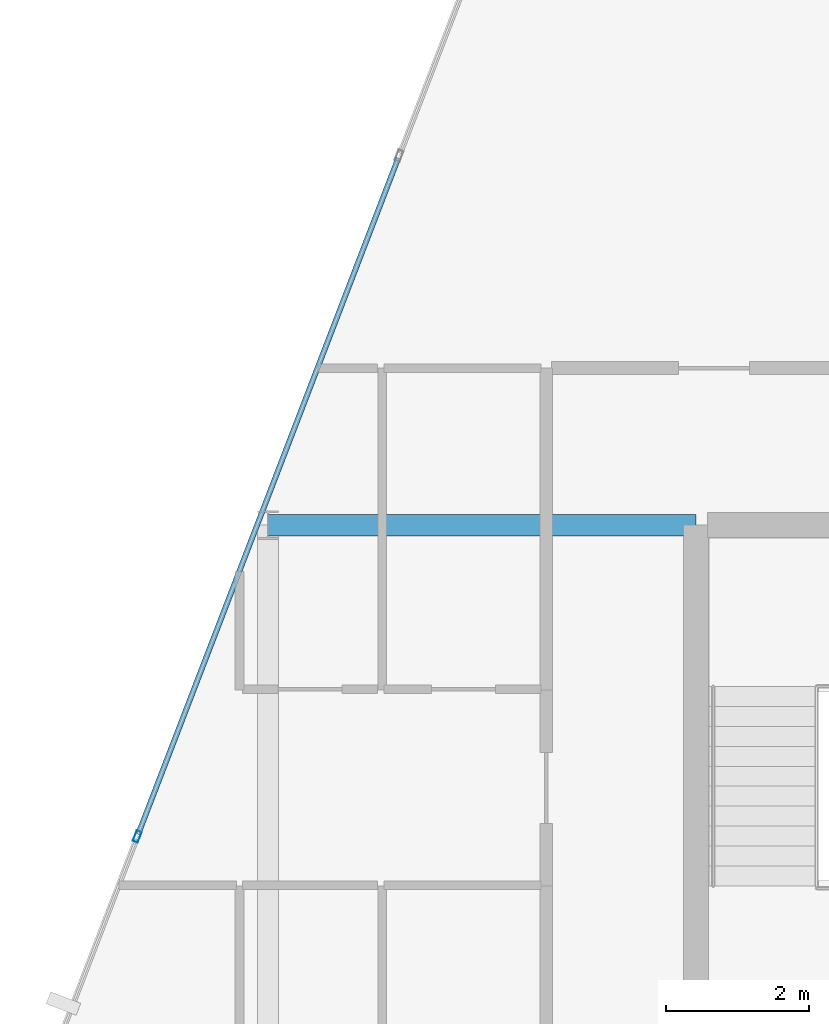
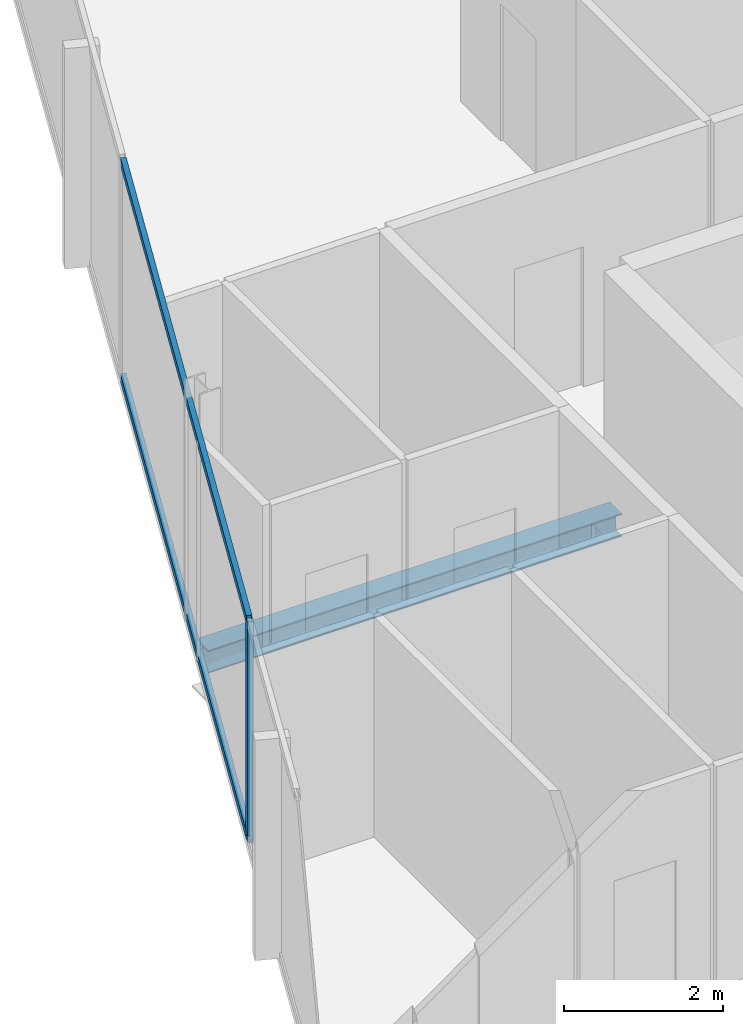
# One storey, part 10 of 27: 3 members, 1 beam, 1 element without a shape of its own.
"""IFC4 building model written with IfcOpenShell, lengths in metres."""

from ifc_helpers import new_model, si_unit, direction, frame, origin, origin_2d, place, context, subcontext, project, spatial, hollow_rectangle, i_section, extrude, material, layer, layer_set, material_profile, profile_set, type_object, element, aggregate, save


model = new_model("IFC4")

# Units and contexts
model_context = context("Model", 3, precision=1e-05, world=origin(), true_north=direction((0.0, 1.0)))
body_context = subcontext(model_context, "Body", "Model", "MODEL_VIEW")
ifc_project = project(units=[si_unit("LENGTHUNIT", "METRE"), si_unit("AREAUNIT", "SQUARE_METRE"), si_unit("VOLUMEUNIT", "CUBIC_METRE"), si_unit("PLANEANGLEUNIT", "RADIAN"), si_unit("MASSUNIT", "GRAM", prefix="KILO")], contexts=[model_context])

# Site, building, storey
site_placement = place(None, origin())
site = spatial("IfcSite", under=ifc_project, at=site_placement, CompositionType="ELEMENT")
building_placement = place(site_placement, origin())
building = spatial("IfcBuilding", under=site, at=building_placement, Name="Keshet Zoharim Tower", CompositionType="ELEMENT")
storey_placement = place(building_placement, frame((0.0, 0.0, 295.39990234375)))
storey = spatial("IfcBuildingStorey", under=building, at=storey_placement, Name="L74", CompositionType="ELEMENT", Elevation=295.39990234375)

# Beam
ifc_material_1 = material(Name="Steel S355", Category="steel")
ifc_material_profile_1 = material_profile(ifc_material_1, i_section(OverallWidth=0.300048828125, OverallDepth=0.35009765625, WebThickness=0.010009765625, FlangeThickness=0.017578125, FilletRadius=0.027099609375, at=origin_2d()), Name="HEA360")
ifc_profile_set_1 = profile_set([ifc_material_profile_1], Name="Steel S355")
beam_type = type_object("IfcBeamType", Name="BM-PRI-HA360", PredefinedType="BEAM", material=ifc_profile_set_1)
beam_placement = place(storey_placement, frame((9.0, 37.89990234375, -0.48486328125), z_axis=(1.0, 0.0, 0.0), x_axis=(0.0, 1.0, 0.0)))
element("IfcBeam", 1, at=beam_placement, inside=storey, type_object=beam_type, Name="L74 Primary Girder X-008", PredefinedType="BEAM", context=body_context, shape_type="SweptSolid", body=[
    extrude(i_section(OverallWidth=0.300048828125, OverallDepth=0.35009765625, WebThickness=0.010009765625, FlangeThickness=0.017578125, FilletRadius=0.027099609375, at=origin_2d()), origin(), (0.0, 0.0, 1.0), 6.0),
])

# Curtain wall, members
ifc_material_2 = material(Name="Aluminium 6063-T6", Category="aluminium")
ifc_layer = layer(ifc_material_2, 0.260009765625)
ifc_layer_set = layer_set([ifc_layer], Name="Aluminium 6063-T6")
curtain_wall_type = type_object("IfcCurtainWallType", Name="CW-SYS-06", PredefinedType="NOTDEFINED", material=ifc_layer_set)
curtain_wall_placement = place(storey_placement, origin())
curtain_wall = element("IfcCurtainWall", 2, at=curtain_wall_placement, inside=storey, type_object=curtain_wall_type, Name="L74 Unitised Curtain Wall 03", PredefinedType="NOTDEFINED")
ifc_material_profile_2 = material_profile(ifc_material_2, hollow_rectangle(XDim=0.074951171875, YDim=0.159912109375, WallThickness=0.00390625, at=origin_2d()), Name="MUL-75x160")
ifc_profile_set_2 = profile_set([ifc_material_profile_2], Name="Aluminium 6063-T6")
member_type_1 = type_object("IfcMemberType", Name="CWM-M15", PredefinedType="MULLION", material=ifc_profile_set_2)
member_1_placement = place(storey_placement, frame((7.1669921875, 33.53466796875, 0.0), z_axis=(0.0, 0.0, 1.0), x_axis=(-0.933341404361, 0.358990003907, 0.0)))
member_1 = element("IfcMember", 3, at=member_1_placement, type_object=member_type_1, Name="CW-06 mullion 2", PredefinedType="MULLION", context=body_context, shape_type="SweptSolid", body=[
    extrude(hollow_rectangle(XDim=0.074951171875, YDim=0.159912109375, WallThickness=0.00390625, at=origin_2d()), origin(), (0.0, 0.0, 1.0), 3.380126953125),
])
ifc_material_profile_3 = material_profile(ifc_material_2, hollow_rectangle(XDim=0.074951171875, YDim=0.1201171875, WallThickness=0.00390625, at=origin_2d()), Name="TRN-75x120")
ifc_profile_set_3 = profile_set([ifc_material_profile_3], Name="Aluminium 6063-T6")
member_type_2 = type_object("IfcMemberType", Name="CWT-T12", PredefinedType="USERDEFINED", material=ifc_profile_set_3)
member_2_placement = place(storey_placement, frame((7.179443359375, 33.5673828125, 0.03515625), z_axis=(0.359003248899, 0.933336309848, 0.0), x_axis=(-0.933336309848, 0.359003248899, 0.0)))
member_2 = element("IfcMember", 4, at=member_2_placement, type_object=member_type_2, Name="CW-06 transom 2.1", ObjectType="TRANSOM", PredefinedType="USERDEFINED", context=body_context, shape_type="SweptSolid", body=[
    extrude(hollow_rectangle(XDim=0.074951171875, YDim=0.1201171875, WallThickness=0.00390625, at=origin_2d()), origin(), (0.0, 0.0, 1.0), 10.153076171875),
])
member_3_placement = place(storey_placement, frame((7.179443359375, 33.5673828125, 3.34521484375), z_axis=(0.359003248899, 0.933336309848, 0.0), x_axis=(-0.933336309848, 0.359003248899, 0.0)))
member_3 = element("IfcMember", 5, at=member_3_placement, type_object=member_type_2, Name="CW-06 transom 2.2", ObjectType="TRANSOM", PredefinedType="USERDEFINED", context=body_context, shape_type="SweptSolid", body=[
    extrude(hollow_rectangle(XDim=0.074951171875, YDim=0.1201171875, WallThickness=0.00390625, at=origin_2d()), origin(), (0.0, 0.0, 1.0), 10.153076171875),
])
aggregate(curtain_wall, [member_1, member_2, member_3])

save(model, "model.ifc")
